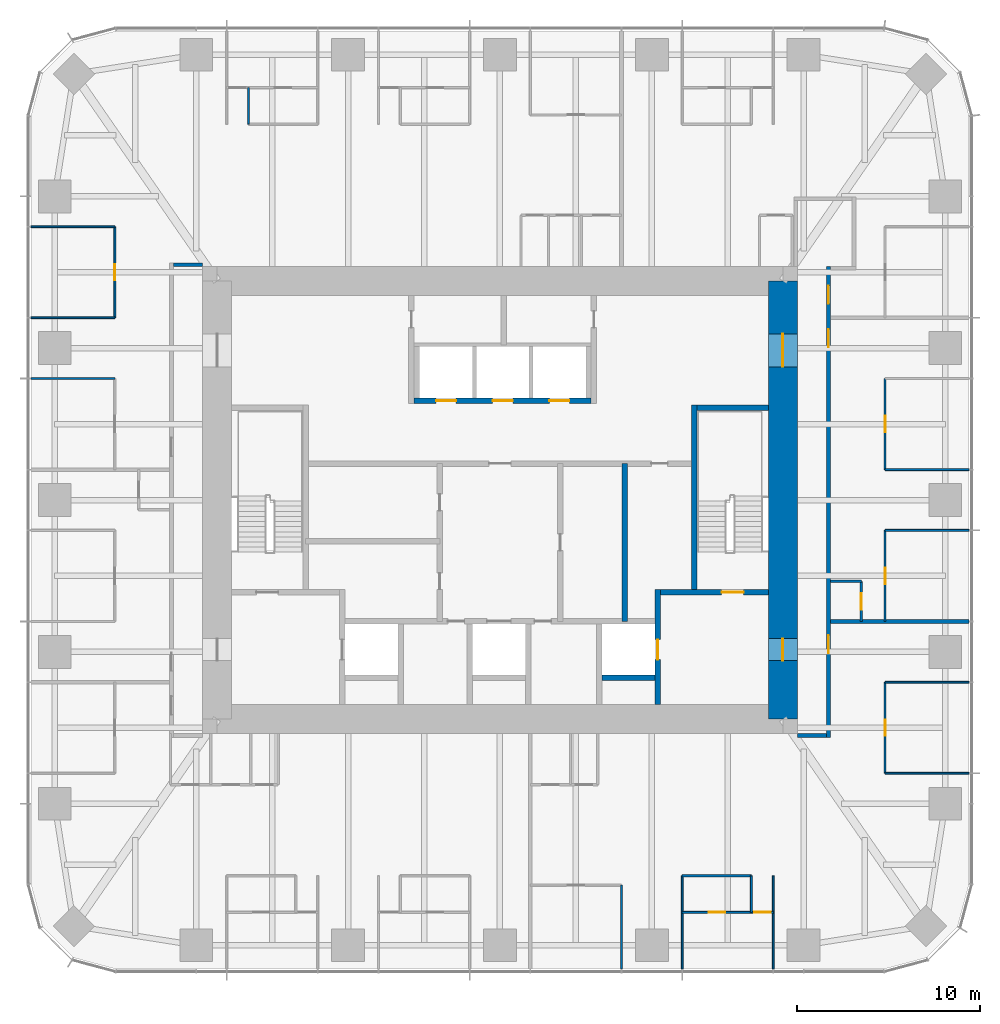
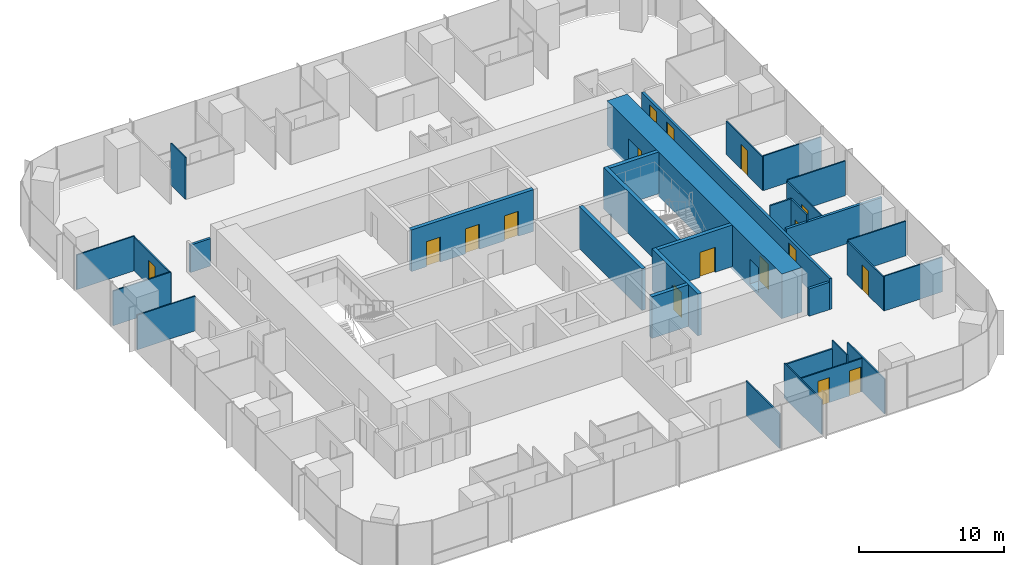
# One storey, part 10 of 13: 32 walls, 17 doors, 17 openings.
"""IFC4 building model written with IfcOpenShell, lengths in metres."""

from ifc_helpers import new_model, si_unit, direction, frame, frame_2d, origin, place, context, subcontext, project, spatial, rectangle, extrude, material, layer, layer_set, type_object, element, fill, save


model = new_model("IFC4")

# Units and contexts
model_context = context("Model", 3, precision=1e-05, world=origin(), true_north=direction((0.0, 1.0)))
body_context = subcontext(model_context, "Body", "Model", "MODEL_VIEW")
ifc_project = project(units=[si_unit("LENGTHUNIT", "METRE"), si_unit("AREAUNIT", "SQUARE_METRE"), si_unit("VOLUMEUNIT", "CUBIC_METRE"), si_unit("PLANEANGLEUNIT", "RADIAN"), si_unit("MASSUNIT", "GRAM", prefix="KILO")], contexts=[model_context])

# Site, building, storey
site_placement = place(None, origin())
site = spatial("IfcSite", under=ifc_project, at=site_placement, CompositionType="ELEMENT")
building_placement = place(site_placement, origin())
building = spatial("IfcBuilding", under=site, at=building_placement, Name="Khuree Lantern Residences", CompositionType="ELEMENT")
storey_placement = place(building_placement, frame((0.0, 0.0, 255.75)))
storey = spatial("IfcBuildingStorey", under=building, at=storey_placement, Name="L64", CompositionType="ELEMENT", Elevation=255.75)

# Wall, opening, door
ifc_material_1 = material(Name="Moisture-resistant gypsum board on steel studs", Category="steel")
ifc_layer_1 = layer(ifc_material_1, 0.125)
ifc_layer_set_1 = layer_set([ifc_layer_1], Name="BATHROOM WALL BTW125")
wall_type_1 = type_object("IfcWallType", Name="BATHROOM WALL BTW125", PredefinedType="PARTITIONING", material=ifc_layer_set_1)
wall_1_placement = place(storey_placement, frame((19.800048828125, -6.656005859375, 0.0), z_axis=(0.0, 0.0, 1.0), x_axis=(0.0, 1.0, 0.0)))
wall_1 = element("IfcWall", 1, at=wall_1_placement, inside=storey, type_object=wall_type_1, Name="L64 BATHROOM WALL 01", PredefinedType="PARTITIONING", context=body_context, shape_type="SweptSolid", body=[
    extrude(rectangle(XDim=2.199951171875, YDim=0.125, at=frame_2d((1.10009765625, 0.0))), origin(), (0.0, 0.0, 1.0), 3.5),
])
opening_1_placement = place(wall_1_placement, frame((0.64990234375, 0.0, 0.0)))
opening_1 = element("IfcOpeningElement", 2, at=opening_1_placement, cuts=wall_1, Name="Opening 64-024", PredefinedType="OPENING", context=body_context, shape_type="SweptSolid", body=[
    extrude(rectangle(XDim=0.89990234375, YDim=2.10009765625, at=frame_2d((0.449951171875, 1.050048828125))), frame((0.0, 0.072509765625, 0.0), z_axis=(0.0, -1.0, 0.0), x_axis=(1.0, 0.0, 0.0)), (0.0, 0.0, 1.0), 0.14501953125),
])
ifc_material_2 = material(Name="Timber door leaf in hardwood frame", Category="wood")
door_type_1 = type_object("IfcDoorType", Name="BATHROOM DOOR 900X2100", OperationType="SINGLE_SWING_LEFT", PredefinedType="DOOR", material=ifc_material_2)
door_1_placement = place(opening_1_placement, origin())
door_1 = element("IfcDoor", 3, at=door_1_placement, inside=storey, type_object=door_type_1, Name="Bathroom door 64-024", OperationType="SINGLE_SWING_LEFT", OverallHeight=2.10009765625, OverallWidth=0.89990234375, PredefinedType="DOOR", context=body_context, shape_type="SweptSolid", body=[
    extrude(rectangle(XDim=0.89990234375, YDim=2.10009765625, at=frame_2d((0.449951171875, 1.050048828125))), frame((0.0, 0.02490234375, 0.0), z_axis=(0.0, -1.0, 0.0), x_axis=(1.0, 0.0, 0.0)), (0.0, 0.0, 1.0), 0.050048828125),
])
fill(opening_1, door_1)

# Walls
wall_2_placement = place(storey_placement, frame((18.10009765625, -4.4560546875, 0.0), z_axis=(0.0, 0.0, 1.0), x_axis=(1.0, 0.0, 0.0)))
element("IfcWall", 4, at=wall_2_placement, inside=storey, type_object=wall_type_1, Name="L64 BATHROOM WALL 01", PredefinedType="PARTITIONING", context=body_context, shape_type="SweptSolid", body=[
    extrude(rectangle(XDim=1.699951171875, YDim=0.125, at=frame_2d((0.85009765625, 0.0))), origin(), (0.0, 0.0, 1.0), 3.5),
])
wall_3_placement = place(storey_placement, frame((9.98388671875, -20.594970703125, 0.0), z_axis=(0.0, 0.0, 1.0), x_axis=(1.0, 0.0, 0.0)))
element("IfcWall", 5, at=wall_3_placement, inside=storey, type_object=wall_type_1, Name="L64 BATHROOM WALL 06", PredefinedType="PARTITIONING", context=body_context, shape_type="SweptSolid", body=[
    extrude(rectangle(XDim=3.7919921875, YDim=0.125, at=frame_2d((1.89599609375, 0.0))), origin(), (0.0, 0.0, 1.0), 2.81005859375),
])

# Wall, opening, door
ifc_material_3 = material(Name="Dense concrete blockwork", Category="masonry")
ifc_layer_2 = layer(ifc_material_3, 0.300048828125)
ifc_layer_set_2 = layer_set([ifc_layer_2], Name="CORE PARTITION WALL CPW300 EI 120")
wall_type_2 = type_object("IfcWallType", Name="CORE PARTITION WALL CPW300 EI 120", PredefinedType="PARTITIONING", material=ifc_layer_set_2)
wall_4_placement = place(storey_placement, frame((8.64990234375, -11.199951171875, 0.0), z_axis=(0.0, 0.0, 1.0), x_axis=(0.0, 1.0, 0.0)))
wall_4 = element("IfcWall", 6, at=wall_4_placement, inside=storey, type_object=wall_type_2, Name="L64 CORE WALL FL2E", PredefinedType="PARTITIONING", context=body_context, shape_type="SweptSolid", body=[
    extrude(rectangle(XDim=6.300048828125, YDim=0.300048828125, at=frame_2d((3.14990234375, 0.0))), origin(), (0.0, 0.0, 1.0), 3.5),
])
opening_2_placement = place(wall_4_placement, frame((2.449951171875, 0.0, 0.0)))
opening_2 = element("IfcOpeningElement", 7, at=opening_2_placement, cuts=wall_4, Name="Opening 64-008", PredefinedType="OPENING", context=body_context, shape_type="SweptSolid", body=[
    extrude(rectangle(XDim=1.10009765625, YDim=2.10009765625, at=frame_2d((0.550048828125, 1.050048828125))), frame((0.0, 0.16015625, 0.0), z_axis=(0.0, -1.0, 0.0), x_axis=(1.0, 0.0, 0.0)), (0.0, 0.0, 1.0), 0.320068359375),
])
ifc_material_4 = material(Name="Stainless steel lift landing door", Category="steel")
door_type_2 = type_object("IfcDoorType", Name="LIFT LANDING DOOR 1100X2100 E 120", OperationType="DOUBLE_DOOR_SLIDING", PredefinedType="DOOR", material=ifc_material_4)
door_2_placement = place(opening_2_placement, origin())
door_2 = element("IfcDoor", 8, at=door_2_placement, inside=storey, type_object=door_type_2, Name="Landing door FL2 64-008", OperationType="DOUBLE_DOOR_SLIDING", OverallHeight=2.10009765625, OverallWidth=1.10009765625, PredefinedType="DOOR", context=body_context, shape_type="SweptSolid", body=[
    extrude(rectangle(XDim=1.10009765625, YDim=2.10009765625, at=frame_2d((0.550048828125, 1.050048828125))), frame((0.0, 0.02490234375, 0.0), z_axis=(0.0, -1.0, 0.0), x_axis=(1.0, 0.0, 0.0)), (0.0, 0.0, 1.0), 0.050048828125),
])
fill(opening_2, door_2)

# Wall
wall_5_placement = place(storey_placement, frame((5.60009765625, -9.75, 0.0), z_axis=(0.0, 0.0, 1.0), x_axis=(1.0, 0.0, 0.0)))
element("IfcWall", 9, at=wall_5_placement, inside=storey, type_object=wall_type_2, Name="L64 CORE WALL FL2S", PredefinedType="PARTITIONING", context=body_context, shape_type="SweptSolid", body=[
    extrude(rectangle(XDim=2.89990234375, YDim=0.300048828125, at=frame_2d((1.449951171875, 0.0))), origin(), (0.0, 0.0, 1.0), 3.5),
])

# Wall, openings, doors
wall_6_placement = place(storey_placement, frame((-4.699951171875, 5.449951171875, 0.0), z_axis=(0.0, 0.0, 1.0), x_axis=(1.0, 0.0, 0.0)))
wall_6 = element("IfcWall", 10, at=wall_6_placement, inside=storey, type_object=wall_type_2, Name="L64 CORE WALL PHS", PredefinedType="PARTITIONING", context=body_context, shape_type="SweptSolid", body=[
    extrude(rectangle(XDim=9.699951171875, YDim=0.300048828125, at=frame_2d((4.85009765625, 0.0))), origin(), (0.0, 0.0, 1.0), 3.5),
])
opening_3_placement = place(wall_6_placement, frame((1.199951171875, 0.0, 0.0)))
opening_3 = element("IfcOpeningElement", 11, at=opening_3_placement, cuts=wall_6, Name="Opening 64-009", PredefinedType="OPENING", context=body_context, shape_type="SweptSolid", body=[
    extrude(rectangle(XDim=1.10009765625, YDim=2.10009765625, at=frame_2d((0.550048828125, 1.050048828125))), frame((0.0, 0.16015625, 0.0), z_axis=(0.0, -1.0, 0.0), x_axis=(1.0, 0.0, 0.0)), (0.0, 0.0, 1.0), 0.320068359375),
])
opening_4_placement = place(wall_6_placement, frame((4.300048828125, 0.0, 0.0)))
opening_4 = element("IfcOpeningElement", 12, at=opening_4_placement, cuts=wall_6, Name="Opening 64-010", PredefinedType="OPENING", context=body_context, shape_type="SweptSolid", body=[
    extrude(rectangle(XDim=1.10009765625, YDim=2.10009765625, at=frame_2d((0.550048828125, 1.050048828125))), frame((0.0, 0.16015625, 0.0), z_axis=(0.0, -1.0, 0.0), x_axis=(1.0, 0.0, 0.0)), (0.0, 0.0, 1.0), 0.320068359375),
])
opening_5_placement = place(wall_6_placement, frame((7.39990234375, 0.0, 0.0)))
opening_5 = element("IfcOpeningElement", 13, at=opening_5_placement, cuts=wall_6, Name="Opening 64-011", PredefinedType="OPENING", context=body_context, shape_type="SweptSolid", body=[
    extrude(rectangle(XDim=1.10009765625, YDim=2.10009765625, at=frame_2d((0.550048828125, 1.050048828125))), frame((0.0, 0.16015625, 0.0), z_axis=(0.0, -1.0, 0.0), x_axis=(1.0, 0.0, 0.0)), (0.0, 0.0, 1.0), 0.320068359375),
])
door_type_3 = type_object("IfcDoorType", Name="LIFT LANDING DOOR 1100X2100 E 60", OperationType="DOUBLE_DOOR_SLIDING", PredefinedType="DOOR", material=ifc_material_4)
door_3_placement = place(opening_3_placement, origin())
door_3 = element("IfcDoor", 14, at=door_3_placement, inside=storey, type_object=door_type_3, Name="Landing door PH1 64-009", OperationType="DOUBLE_DOOR_SLIDING", OverallHeight=2.10009765625, OverallWidth=1.10009765625, PredefinedType="DOOR", context=body_context, shape_type="SweptSolid", body=[
    extrude(rectangle(XDim=1.10009765625, YDim=2.10009765625, at=frame_2d((0.550048828125, 1.050048828125))), frame((0.0, 0.02490234375, 0.0), z_axis=(0.0, -1.0, 0.0), x_axis=(1.0, 0.0, 0.0)), (0.0, 0.0, 1.0), 0.050048828125),
])
fill(opening_3, door_3)
door_4_placement = place(opening_4_placement, origin())
door_4 = element("IfcDoor", 15, at=door_4_placement, inside=storey, type_object=door_type_3, Name="Landing door PH2 64-010", OperationType="DOUBLE_DOOR_SLIDING", OverallHeight=2.10009765625, OverallWidth=1.10009765625, PredefinedType="DOOR", context=body_context, shape_type="SweptSolid", body=[
    extrude(rectangle(XDim=1.10009765625, YDim=2.10009765625, at=frame_2d((0.550048828125, 1.050048828125))), frame((0.0, 0.02490234375, 0.0), z_axis=(0.0, -1.0, 0.0), x_axis=(1.0, 0.0, 0.0)), (0.0, 0.0, 1.0), 0.050048828125),
])
fill(opening_4, door_4)
door_5_placement = place(opening_5_placement, origin())
door_5 = element("IfcDoor", 16, at=door_5_placement, inside=storey, type_object=door_type_3, Name="Landing door PH3 64-011", OperationType="DOUBLE_DOOR_SLIDING", OverallHeight=2.10009765625, OverallWidth=1.10009765625, PredefinedType="DOOR", context=body_context, shape_type="SweptSolid", body=[
    extrude(rectangle(XDim=1.10009765625, YDim=2.10009765625, at=frame_2d((0.550048828125, 1.050048828125))), frame((0.0, 0.02490234375, 0.0), z_axis=(0.0, -1.0, 0.0), x_axis=(1.0, 0.0, 0.0)), (0.0, 0.0, 1.0), 0.050048828125),
])
fill(opening_5, door_5)

# Walls
wall_7_placement = place(storey_placement, frame((6.833984375, -6.64990234375, 0.0), z_axis=(0.0, 0.0, 1.0), x_axis=(0.0, 1.0, 0.0)))
element("IfcWall", 17, at=wall_7_placement, inside=storey, type_object=wall_type_2, Name="L64 CORE WALL EV", PredefinedType="PARTITIONING", context=body_context, shape_type="SweptSolid", body=[
    extrude(rectangle(XDim=8.64990234375, YDim=0.300048828125, at=frame_2d((4.324951171875, 0.0))), origin(), (0.0, 0.0, 1.0), 3.5),
])
ifc_material_5 = material(Name="Gypsum board on steel studs", Category="steel")
ifc_layer_3 = layer(ifc_material_5, 0.199951171875)
ifc_layer_set_3 = layer_set([ifc_layer_3], Name="CORRIDOR WALL CRW200 EI 60")
wall_type_3 = type_object("IfcWallType", Name="CORRIDOR WALL CRW200 EI 60", PredefinedType="PARTITIONING", material=ifc_layer_set_3)
for number, where, z_axis, x_axis, name in (
    (18, (16.300048828125, -12.89990234375, 0.0), (0.0, 0.0, 1.0), (1.0, 0.0, 0.0), "L64 EAST CORRIDOR SOUTH END WALL"),
    (19, (-16.300048828125, 12.89990234375, 0.0), (0.0, 0.0, 1.0), (-1.0, 0.0, 0.0), "L64 WEST CORRIDOR NORTH END WALL"),
):
    element("IfcWall", number, at=place(storey_placement, frame(where, z_axis=z_axis, x_axis=x_axis)), inside=storey, type_object=wall_type_3, Name=name, PredefinedType="PARTITIONING", context=body_context, shape_type="SweptSolid", body=[
        extrude(rectangle(XDim=1.599853515625, YDim=0.199951171875, at=frame_2d((0.7998046875, 0.0))), origin(), (0.0, 0.0, 1.0), 2.300048828125),
    ])

# Wall, openings, doors
wall_8_placement = place(storey_placement, frame((18.0, -13.0, 0.0), z_axis=(0.0, 0.0, 1.0), x_axis=(0.0, 1.0, 0.0)))
wall_8 = element("IfcWall", 20, at=wall_8_placement, inside=storey, type_object=wall_type_3, Name="L64 CORRIDOR WALL EAST 1", PredefinedType="PARTITIONING", context=body_context, shape_type="SweptSolid", body=[
    extrude(rectangle(XDim=25.800048828125, YDim=0.199951171875, at=frame_2d((12.89990234375, 0.0))), origin(), (0.0, 0.0, 1.0), 2.60009765625),
])
opening_6_placement = place(wall_8_placement, frame((21.364013671875, 0.0, 0.0)))
opening_6 = element("IfcOpeningElement", 21, at=opening_6_placement, cuts=wall_8, Name="Opening 64-025", PredefinedType="OPENING", context=body_context, shape_type="SweptSolid", body=[
    extrude(rectangle(XDim=1.0, YDim=2.199951171875, at=frame_2d((0.5, 1.10009765625))), frame((0.0, 0.10986328125, 0.0), z_axis=(0.0, -1.0, 0.0), x_axis=(1.0, 0.0, 0.0)), (0.0, 0.0, 1.0), 0.219970703125),
])
opening_7_placement = place(wall_8_placement, frame((23.75390625, 0.0, 0.0)))
opening_7 = element("IfcOpeningElement", 22, at=opening_7_placement, cuts=wall_8, Name="Opening 64-030", PredefinedType="OPENING", context=body_context, shape_type="SweptSolid", body=[
    extrude(rectangle(XDim=1.0, YDim=2.199951171875, at=frame_2d((0.5, 1.10009765625))), frame((0.0, 0.10986328125, 0.0), z_axis=(0.0, -1.0, 0.0), x_axis=(1.0, 0.0, 0.0)), (0.0, 0.0, 1.0), 0.219970703125),
])
opening_8_placement = place(wall_8_placement, frame((4.60009765625, 0.0, 0.0)))
opening_8 = element("IfcOpeningElement", 23, at=opening_8_placement, cuts=wall_8, Name="Opening 64-060", PredefinedType="OPENING", context=body_context, shape_type="SweptSolid", body=[
    extrude(rectangle(XDim=1.0, YDim=2.199951171875, at=frame_2d((0.5, 1.10009765625))), frame((0.0, 0.10986328125, 0.0), z_axis=(0.0, -1.0, 0.0), x_axis=(1.0, 0.0, 0.0)), (0.0, 0.0, 1.0), 0.219970703125),
])
door_type_4 = type_object("IfcDoorType", Name="APARTMENT ENTRANCE DOOR 1000X2200 EI 30S", OperationType="SINGLE_SWING_LEFT", PredefinedType="DOOR", material=ifc_material_2)
door_6_placement = place(opening_6_placement, origin())
door_6 = element("IfcDoor", 24, at=door_6_placement, inside=storey, type_object=door_type_4, Name="Apartment 01 entrance door 64-025", OperationType="SINGLE_SWING_LEFT", OverallHeight=2.199951171875, OverallWidth=1.0, PredefinedType="DOOR", context=body_context, shape_type="SweptSolid", body=[
    extrude(rectangle(XDim=1.0, YDim=2.199951171875, at=frame_2d((0.5, 1.10009765625))), frame((0.0, 0.02490234375, 0.0), z_axis=(0.0, -1.0, 0.0), x_axis=(1.0, 0.0, 0.0)), (0.0, 0.0, 1.0), 0.050048828125),
])
fill(opening_6, door_6)
door_7_placement = place(opening_7_placement, origin())
door_7 = element("IfcDoor", 25, at=door_7_placement, inside=storey, type_object=door_type_4, Name="Apartment 02 entrance door 64-030", OperationType="SINGLE_SWING_LEFT", OverallHeight=2.199951171875, OverallWidth=1.0, PredefinedType="DOOR", context=body_context, shape_type="SweptSolid", body=[
    extrude(rectangle(XDim=1.0, YDim=2.199951171875, at=frame_2d((0.5, 1.10009765625))), frame((0.0, 0.02490234375, 0.0), z_axis=(0.0, -1.0, 0.0), x_axis=(1.0, 0.0, 0.0)), (0.0, 0.0, 1.0), 0.050048828125),
])
fill(opening_7, door_7)
door_8_placement = place(opening_8_placement, origin())
door_8 = element("IfcDoor", 26, at=door_8_placement, inside=storey, type_object=door_type_4, Name="Apartment 06 entrance door 64-060", OperationType="SINGLE_SWING_LEFT", OverallHeight=2.199951171875, OverallWidth=1.0, PredefinedType="DOOR", context=body_context, shape_type="SweptSolid", body=[
    extrude(rectangle(XDim=1.0, YDim=2.199951171875, at=frame_2d((0.5, 1.10009765625))), frame((0.0, 0.02490234375, 0.0), z_axis=(0.0, -1.0, 0.0), x_axis=(1.0, 0.0, 0.0)), (0.0, 0.0, 1.0), 0.050048828125),
])
fill(opening_8, door_8)

ifc_material_6 = material(Name="Concrete C50/60", Category="concrete")
ifc_layer_4 = layer(ifc_material_6, 1.60009765625)
ifc_layer_set_4 = layer_set([ifc_layer_4], Name="CW1600-C50 CORE WALL C50 1600")
wall_type_4 = type_object("IfcWallType", Name="CW1600-C50 CORE WALL C50 1600", PredefinedType="SHEAR", material=ifc_layer_set_4)
wall_9_placement = place(storey_placement, frame((15.5, -12.0, -0.25), z_axis=(0.0, 0.0, 1.0), x_axis=(0.0, 1.0, 0.0)))
wall_9 = element("IfcWall", 27, at=wall_9_placement, inside=storey, type_object=wall_type_4, Name="Core wall E", PredefinedType="SHEAR", context=body_context, shape_type="SweptSolid", body=[
    extrude(rectangle(XDim=24.0, YDim=1.60009765625, at=frame_2d((12.0, 0.0))), origin(), (0.0, 0.0, 1.0), 3.75),
])
opening_9_placement = place(wall_9_placement, frame((3.199951171875, 0.0, 0.25)))
opening_9 = element("IfcOpeningElement", 28, at=opening_9_placement, cuts=wall_9, Name="Opening 64-005", PredefinedType="OPENING", context=body_context, shape_type="SweptSolid", body=[
    extrude(rectangle(XDim=1.199951171875, YDim=2.10009765625, at=frame_2d((0.60009765625, 1.050048828125))), frame((0.0, 0.81005859375, 0.0), z_axis=(0.0, -1.0, 0.0), x_axis=(1.0, 0.0, 0.0)), (0.0, 0.0, 1.0), 1.6201171875),
])
opening_10_placement = place(wall_9_placement, frame((19.300048828125, 0.0, 0.25)))
opening_10 = element("IfcOpeningElement", 29, at=opening_10_placement, cuts=wall_9, Name="Opening 64-006", PredefinedType="OPENING", context=body_context, shape_type="SweptSolid", body=[
    extrude(rectangle(XDim=1.800048828125, YDim=2.10009765625, at=frame_2d((0.89990234375, 1.050048828125))), frame((0.0, 0.81005859375, 0.0), z_axis=(0.0, -1.0, 0.0), x_axis=(1.0, 0.0, 0.0)), (0.0, 0.0, 1.0), 1.6201171875),
])
ifc_material_7 = material(Name="Steel door leaf in steel frame", Category="steel")
door_type_5 = type_object("IfcDoorType", Name="LOBBY DOOR 1200X2100 EI 120", OperationType="SINGLE_SWING_LEFT", PredefinedType="DOOR", material=ifc_material_7)
door_9_placement = place(opening_9_placement, origin())
door_9 = element("IfcDoor", 30, at=door_9_placement, inside=storey, type_object=door_type_5, Name="Firefighting lobby door 64-005", OperationType="SINGLE_SWING_LEFT", OverallHeight=2.10009765625, OverallWidth=1.199951171875, PredefinedType="DOOR", context=body_context, shape_type="SweptSolid", body=[
    extrude(rectangle(XDim=1.199951171875, YDim=2.10009765625, at=frame_2d((0.60009765625, 1.050048828125))), frame((0.0, 0.02490234375, 0.0), z_axis=(0.0, -1.0, 0.0), x_axis=(1.0, 0.0, 0.0)), (0.0, 0.0, 1.0), 0.050048828125),
])
fill(opening_9, door_9)
door_type_6 = type_object("IfcDoorType", Name="LOBBY DOUBLE DOOR 1800X2100 EI 60", OperationType="DOUBLE_DOOR_SINGLE_SWING", PredefinedType="DOOR", material=ifc_material_7)
door_10_placement = place(opening_10_placement, origin())
door_10 = element("IfcDoor", 31, at=door_10_placement, inside=storey, type_object=door_type_6, Name="Lift lobby door 64-006", OperationType="DOUBLE_DOOR_SINGLE_SWING", OverallHeight=2.10009765625, OverallWidth=1.800048828125, PredefinedType="DOOR", context=body_context, shape_type="SweptSolid", body=[
    extrude(rectangle(XDim=1.800048828125, YDim=2.10009765625, at=frame_2d((0.89990234375, 1.050048828125))), frame((0.0, 0.02490234375, 0.0), z_axis=(0.0, -1.0, 0.0), x_axis=(1.0, 0.0, 0.0)), (0.0, 0.0, 1.0), 0.050048828125),
])
fill(opening_10, door_10)

# Walls
ifc_layer_5 = layer(ifc_material_5, 0.199951171875)
ifc_layer_set_5 = layer_set([ifc_layer_5], Name="DEMISING WALL DMW200 EI 90")
wall_type_5 = type_object("IfcWallType", Name="DEMISING WALL DMW200 EI 90", PredefinedType="PARTITIONING", material=ifc_layer_set_5)
wall_10_placement = place(storey_placement, frame((18.10009765625, -6.656005859375, 0.0), z_axis=(0.0, 0.0, 1.0), x_axis=(1.0, 0.0, 0.0)))
element("IfcWall", 32, at=wall_10_placement, inside=storey, type_object=wall_type_5, Name="L64 DEMISING WALL 01", PredefinedType="PARTITIONING", context=body_context, shape_type="SweptSolid", body=[
    extrude(rectangle(XDim=7.599853515625, YDim=0.199951171875, at=frame_2d((3.7998046875, 0.0))), origin(), (0.0, 0.0, 1.0), 2.909912109375),
])
ifc_layer_6 = layer(ifc_material_5, 0.10009765625)
ifc_layer_set_6 = layer_set([ifc_layer_6], Name="PARTITION PT100")
wall_type_6 = type_object("IfcWallType", Name="PARTITION PT100", PredefinedType="PARTITIONING", material=ifc_layer_set_6)
for number, where, z_axis, x_axis, name in (
    (33, (21.10009765625, -1.6640625, 0.0), (0.0, 0.0, 1.0), (1.0, 0.0, 0.0), "L64 PARTITION 01"),
    (34, (21.10009765625, 1.6640625, 0.0), (0.0, 0.0, 1.0), (1.0, 0.0, 0.0), "L64 PARTITION 01"),
    (35, (-21.10009765625, 14.97607421875, 0.0), (0.0, 0.0, 1.0), (-1.0, 0.0, 0.0), "L64 PARTITION 03"),
    (36, (-21.10009765625, 9.98388671875, 0.0), (0.0, 0.0, 1.0), (-1.0, 0.0, 0.0), "L64 PARTITION 03"),
    (37, (-21.10009765625, 6.656005859375, 0.0), (0.0, 0.0, 1.0), (-1.0, 0.0, 0.0), "L64 PARTITION 03"),
    (38, (6.656005859375, -21.10009765625, 0.0), (0.0, 0.0, 1.0), (0.0, -1.0, 0.0), "L64 PARTITION 06"),
):
    element("IfcWall", number, at=place(storey_placement, frame(where, z_axis=z_axis, x_axis=x_axis)), inside=storey, type_object=wall_type_6, Name=name, PredefinedType="PARTITIONING", context=body_context, shape_type="SweptSolid", body=[
        extrude(rectangle(XDim=4.599853515625, YDim=0.10009765625, at=frame_2d((2.2998046875, 0.0))), origin(), (0.0, 0.0, 1.0), 2.909912109375),
    ])
for number, where, z_axis, x_axis, name in (
    (39, (9.98388671875, -20.594970703125, 0.0), (0.0, 0.0, 1.0), (0.0, -1.0, 0.0), "L64 PARTITION 06"),
    (40, (14.97607421875, -20.594970703125, 0.0), (0.0, 0.0, 1.0), (0.0, -1.0, 0.0), "L64 PARTITION 06"),
):
    element("IfcWall", number, at=place(storey_placement, frame(where, z_axis=z_axis, x_axis=x_axis)), inside=storey, type_object=wall_type_6, Name=name, PredefinedType="PARTITIONING", context=body_context, shape_type="SweptSolid", body=[
        extrude(rectangle(XDim=5.10498046875, YDim=0.10009765625, at=frame_2d((2.552490234375, 0.0))), origin(), (0.0, 0.0, 1.0), 2.909912109375),
    ])
for number, where, z_axis, x_axis, name in (
    (41, (21.10009765625, -14.97607421875, 0.0), (0.0, 0.0, 1.0), (1.0, 0.0, 0.0), "L64 PARTITION 06"),
    (42, (21.10009765625, -9.98388671875, 0.0), (0.0, 0.0, 1.0), (1.0, 0.0, 0.0), "L64 PARTITION 06"),
):
    element("IfcWall", number, at=place(storey_placement, frame(where, z_axis=z_axis, x_axis=x_axis)), inside=storey, type_object=wall_type_6, Name=name, PredefinedType="PARTITIONING", context=body_context, shape_type="SweptSolid", body=[
        extrude(rectangle(XDim=4.599853515625, YDim=0.10009765625, at=frame_2d((2.2998046875, 0.0))), origin(), (0.0, 0.0, 1.0), 2.909912109375),
    ])

# Wall, opening, door
wall_11_placement = place(storey_placement, frame((21.10009765625, -6.656005859375, 0.0), z_axis=(0.0, 0.0, 1.0), x_axis=(0.0, 1.0, 0.0)))
wall_11 = element("IfcWall", 43, at=wall_11_placement, inside=storey, type_object=wall_type_6, Name="L64 PARTITION 01", PredefinedType="PARTITIONING", context=body_context, shape_type="SweptSolid", body=[
    extrude(rectangle(XDim=4.991943359375, YDim=0.10009765625, at=frame_2d((2.49609375, 0.0))), origin(), (0.0, 0.0, 1.0), 2.81005859375),
])
opening_11_placement = place(wall_11_placement, frame((2.0458984375, 0.0, 0.0)))
opening_11 = element("IfcOpeningElement", 44, at=opening_11_placement, cuts=wall_11, Name="Opening 64-022", PredefinedType="OPENING", context=body_context, shape_type="SweptSolid", body=[
    extrude(rectangle(XDim=0.89990234375, YDim=2.10009765625, at=frame_2d((0.449951171875, 1.050048828125))), frame((0.0, 0.06005859375, 0.0), z_axis=(0.0, -1.0, 0.0), x_axis=(1.0, 0.0, 0.0)), (0.0, 0.0, 1.0), 0.1201171875),
])
door_type_7 = type_object("IfcDoorType", Name="BEDROOM DOOR 900X2100", OperationType="SINGLE_SWING_LEFT", PredefinedType="DOOR", material=ifc_material_2)
door_11_placement = place(opening_11_placement, origin())
door_11 = element("IfcDoor", 45, at=door_11_placement, inside=storey, type_object=door_type_7, Name="Bedroom door 64-022", OperationType="SINGLE_SWING_LEFT", OverallHeight=2.10009765625, OverallWidth=0.89990234375, PredefinedType="DOOR", context=body_context, shape_type="SweptSolid", body=[
    extrude(rectangle(XDim=0.89990234375, YDim=2.10009765625, at=frame_2d((0.449951171875, 1.050048828125))), frame((0.0, 0.02490234375, 0.0), z_axis=(0.0, -1.0, 0.0), x_axis=(1.0, 0.0, 0.0)), (0.0, 0.0, 1.0), 0.050048828125),
])
fill(opening_11, door_11)

wall_12_placement = place(storey_placement, frame((21.10009765625, 1.6640625, 0.0), z_axis=(0.0, 0.0, 1.0), x_axis=(0.0, 1.0, 0.0)))
wall_12 = element("IfcWall", 46, at=wall_12_placement, inside=storey, type_object=wall_type_6, Name="L64 PARTITION 01", PredefinedType="PARTITIONING", context=body_context, shape_type="SweptSolid", body=[
    extrude(rectangle(XDim=4.991943359375, YDim=0.10009765625, at=frame_2d((2.49609375, 0.0))), origin(), (0.0, 0.0, 1.0), 2.81005859375),
])
opening_12_placement = place(wall_12_placement, frame((2.0458984375, 0.0, 0.0)))
opening_12 = element("IfcOpeningElement", 47, at=opening_12_placement, cuts=wall_12, Name="Opening 64-023", PredefinedType="OPENING", context=body_context, shape_type="SweptSolid", body=[
    extrude(rectangle(XDim=0.89990234375, YDim=2.10009765625, at=frame_2d((0.449951171875, 1.050048828125))), frame((0.0, 0.06005859375, 0.0), z_axis=(0.0, -1.0, 0.0), x_axis=(1.0, 0.0, 0.0)), (0.0, 0.0, 1.0), 0.1201171875),
])
door_12_placement = place(opening_12_placement, origin())
door_12 = element("IfcDoor", 48, at=door_12_placement, inside=storey, type_object=door_type_7, Name="Bedroom door 64-023", OperationType="SINGLE_SWING_LEFT", OverallHeight=2.10009765625, OverallWidth=0.89990234375, PredefinedType="DOOR", context=body_context, shape_type="SweptSolid", body=[
    extrude(rectangle(XDim=0.89990234375, YDim=2.10009765625, at=frame_2d((0.449951171875, 1.050048828125))), frame((0.0, 0.02490234375, 0.0), z_axis=(0.0, -1.0, 0.0), x_axis=(1.0, 0.0, 0.0)), (0.0, 0.0, 1.0), 0.050048828125),
])
fill(opening_12, door_12)

# Wall
wall_13_placement = place(storey_placement, frame((-13.77587890625, 20.594970703125, 0.0), z_axis=(0.0, 0.0, 1.0), x_axis=(0.0, 1.0, 0.0)))
element("IfcWall", 49, at=wall_13_placement, inside=storey, type_object=wall_type_6, Name="L64 PARTITION 03", PredefinedType="PARTITIONING", context=body_context, shape_type="SweptSolid", body=[
    extrude(rectangle(XDim=2.0, YDim=0.10009765625, at=frame_2d((1.0, 0.0))), origin(), (0.0, 0.0, 1.0), 3.5),
])

# Wall, opening, door
wall_14_placement = place(storey_placement, frame((-21.10009765625, 14.97607421875, 0.0), z_axis=(0.0, 0.0, 1.0), x_axis=(0.0, -1.0, 0.0)))
wall_14 = element("IfcWall", 50, at=wall_14_placement, inside=storey, type_object=wall_type_6, Name="L64 PARTITION 03", PredefinedType="PARTITIONING", context=body_context, shape_type="SweptSolid", body=[
    extrude(rectangle(XDim=4.9921875, YDim=0.10009765625, at=frame_2d((2.49609375, 0.0))), origin(), (0.0, 0.0, 1.0), 2.81005859375),
])
opening_13_placement = place(wall_14_placement, frame((2.0458984375, 0.0, 0.0)))
opening_13 = element("IfcOpeningElement", 51, at=opening_13_placement, cuts=wall_14, Name="Opening 64-036", PredefinedType="OPENING", context=body_context, shape_type="SweptSolid", body=[
    extrude(rectangle(XDim=0.89990234375, YDim=2.10009765625, at=frame_2d((0.449951171875, 1.050048828125))), frame((0.0, 0.06005859375, 0.0), z_axis=(0.0, -1.0, 0.0), x_axis=(1.0, 0.0, 0.0)), (0.0, 0.0, 1.0), 0.1201171875),
])
door_13_placement = place(opening_13_placement, origin())
door_13 = element("IfcDoor", 52, at=door_13_placement, inside=storey, type_object=door_type_7, Name="Bedroom door 64-036", OperationType="SINGLE_SWING_LEFT", OverallHeight=2.10009765625, OverallWidth=0.89990234375, PredefinedType="DOOR", context=body_context, shape_type="SweptSolid", body=[
    extrude(rectangle(XDim=0.89990234375, YDim=2.10009765625, at=frame_2d((0.449951171875, 1.050048828125))), frame((0.0, 0.02490234375, 0.0), z_axis=(0.0, -1.0, 0.0), x_axis=(1.0, 0.0, 0.0)), (0.0, 0.0, 1.0), 0.050048828125),
])
fill(opening_13, door_13)

# Wall, openings, doors
wall_15_placement = place(storey_placement, frame((9.98388671875, -22.594970703125, 0.0), z_axis=(0.0, 0.0, 1.0), x_axis=(1.0, 0.0, 0.0)))
wall_15 = element("IfcWall", 53, at=wall_15_placement, inside=storey, type_object=wall_type_6, Name="L64 PARTITION 06", PredefinedType="PARTITIONING", context=body_context, shape_type="SweptSolid", body=[
    extrude(rectangle(XDim=4.9921875, YDim=0.10009765625, at=frame_2d((2.49609375, 0.0))), origin(), (0.0, 0.0, 1.0), 2.81005859375),
])
opening_14_placement = place(wall_15_placement, frame((3.94189453125, 0.0, 0.0)))
opening_14 = element("IfcOpeningElement", 54, at=opening_14_placement, cuts=wall_15, Name="Opening 64-055", PredefinedType="OPENING", context=body_context, shape_type="SweptSolid", body=[
    extrude(rectangle(XDim=0.89990234375, YDim=2.10009765625, at=frame_2d((0.449951171875, 1.050048828125))), frame((0.0, 0.06005859375, 0.0), z_axis=(0.0, -1.0, 0.0), x_axis=(1.0, 0.0, 0.0)), (0.0, 0.0, 1.0), 0.1201171875),
])
opening_15_placement = place(wall_15_placement, frame((1.446044921875, 0.0, 0.0)))
opening_15 = element("IfcOpeningElement", 55, at=opening_15_placement, cuts=wall_15, Name="Opening 64-056", PredefinedType="OPENING", context=body_context, shape_type="SweptSolid", body=[
    extrude(rectangle(XDim=0.89990234375, YDim=2.10009765625, at=frame_2d((0.449951171875, 1.050048828125))), frame((0.0, 0.06005859375, 0.0), z_axis=(0.0, -1.0, 0.0), x_axis=(1.0, 0.0, 0.0)), (0.0, 0.0, 1.0), 0.1201171875),
])
door_14_placement = place(opening_15_placement, origin())
door_14 = element("IfcDoor", 56, at=door_14_placement, inside=storey, type_object=door_type_1, Name="Bathroom door 64-056", OperationType="SINGLE_SWING_LEFT", OverallHeight=2.10009765625, OverallWidth=0.89990234375, PredefinedType="DOOR", context=body_context, shape_type="SweptSolid", body=[
    extrude(rectangle(XDim=0.89990234375, YDim=2.10009765625, at=frame_2d((0.449951171875, 1.050048828125))), frame((0.0, 0.02490234375, 0.0), z_axis=(0.0, -1.0, 0.0), x_axis=(1.0, 0.0, 0.0)), (0.0, 0.0, 1.0), 0.050048828125),
])
fill(opening_15, door_14)
door_15_placement = place(opening_14_placement, origin())
door_15 = element("IfcDoor", 57, at=door_15_placement, inside=storey, type_object=door_type_7, Name="Bedroom door 64-055", OperationType="SINGLE_SWING_LEFT", OverallHeight=2.10009765625, OverallWidth=0.89990234375, PredefinedType="DOOR", context=body_context, shape_type="SweptSolid", body=[
    extrude(rectangle(XDim=0.89990234375, YDim=2.10009765625, at=frame_2d((0.449951171875, 1.050048828125))), frame((0.0, 0.02490234375, 0.0), z_axis=(0.0, -1.0, 0.0), x_axis=(1.0, 0.0, 0.0)), (0.0, 0.0, 1.0), 0.050048828125),
])
fill(opening_14, door_15)

# Wall
wall_16_placement = place(storey_placement, frame((13.77587890625, -20.594970703125, 0.0), z_axis=(0.0, 0.0, 1.0), x_axis=(0.0, -1.0, 0.0)))
element("IfcWall", 58, at=wall_16_placement, inside=storey, type_object=wall_type_6, Name="L64 PARTITION 06", PredefinedType="PARTITIONING", context=body_context, shape_type="SweptSolid", body=[
    extrude(rectangle(XDim=2.0, YDim=0.10009765625, at=frame_2d((1.0, 0.0))), origin(), (0.0, 0.0, 1.0), 3.5),
])

# Wall, opening, door
wall_17_placement = place(storey_placement, frame((21.10009765625, -14.97607421875, 0.0), z_axis=(0.0, 0.0, 1.0), x_axis=(0.0, 1.0, 0.0)))
wall_17 = element("IfcWall", 59, at=wall_17_placement, inside=storey, type_object=wall_type_6, Name="L64 PARTITION 06", PredefinedType="PARTITIONING", context=body_context, shape_type="SweptSolid", body=[
    extrude(rectangle(XDim=4.9921875, YDim=0.10009765625, at=frame_2d((2.49609375, 0.0))), origin(), (0.0, 0.0, 1.0), 2.81005859375),
])
opening_16_placement = place(wall_17_placement, frame((2.0458984375, 0.0, 0.0)))
opening_16 = element("IfcOpeningElement", 60, at=opening_16_placement, cuts=wall_17, Name="Opening 64-057", PredefinedType="OPENING", context=body_context, shape_type="SweptSolid", body=[
    extrude(rectangle(XDim=0.89990234375, YDim=2.10009765625, at=frame_2d((0.449951171875, 1.050048828125))), frame((0.0, 0.06005859375, 0.0), z_axis=(0.0, -1.0, 0.0), x_axis=(1.0, 0.0, 0.0)), (0.0, 0.0, 1.0), 0.1201171875),
])
door_16_placement = place(opening_16_placement, origin())
door_16 = element("IfcDoor", 61, at=door_16_placement, inside=storey, type_object=door_type_7, Name="Bedroom door 64-057", OperationType="SINGLE_SWING_LEFT", OverallHeight=2.10009765625, OverallWidth=0.89990234375, PredefinedType="DOOR", context=body_context, shape_type="SweptSolid", body=[
    extrude(rectangle(XDim=0.89990234375, YDim=2.10009765625, at=frame_2d((0.449951171875, 1.050048828125))), frame((0.0, 0.02490234375, 0.0), z_axis=(0.0, -1.0, 0.0), x_axis=(1.0, 0.0, 0.0)), (0.0, 0.0, 1.0), 0.050048828125),
])
fill(opening_16, door_16)

# Wall
ifc_layer_7 = layer(ifc_material_6, 0.300048828125)
ifc_layer_set_7 = layer_set([ifc_layer_7], Name="STAIR WALL SRW300 C50/60 REI 240")
wall_type_7 = type_object("IfcWallType", Name="STAIR WALL SRW300 C50/60 REI 240", PredefinedType="SOLIDWALL", material=ifc_layer_set_7)
wall_18_placement = place(storey_placement, frame((10.64990234375, -4.89990234375, 0.0), z_axis=(0.0, 0.0, 1.0), x_axis=(0.0, 1.0, 0.0)))
element("IfcWall", 62, at=wall_18_placement, inside=storey, type_object=wall_type_7, Name="L64 STAIR WALL ST2E", PredefinedType="SOLIDWALL", context=body_context, shape_type="SweptSolid", body=[
    extrude(rectangle(XDim=10.099853515625, YDim=0.300048828125, at=frame_2d((5.0498046875, 0.0))), origin(), (0.0, 0.0, 1.0), 3.5),
])

# Wall, opening, door
wall_19_placement = place(storey_placement, frame((14.699951171875, -5.050048828125, 0.0), z_axis=(0.0, 0.0, 1.0), x_axis=(-1.0, 0.0, 0.0)))
wall_19 = element("IfcWall", 63, at=wall_19_placement, inside=storey, type_object=wall_type_7, Name="L64 STAIR WALL ST2S", PredefinedType="SOLIDWALL", context=body_context, shape_type="SweptSolid", body=[
    extrude(rectangle(XDim=5.89990234375, YDim=0.300048828125, at=frame_2d((2.949951171875, 0.0))), origin(), (0.0, 0.0, 1.0), 3.5),
])
opening_17_placement = place(wall_19_placement, frame((1.35009765625, 0.0, 0.0)))
opening_17 = element("IfcOpeningElement", 64, at=opening_17_placement, cuts=wall_19, Name="Opening 64-004", PredefinedType="OPENING", context=body_context, shape_type="SweptSolid", body=[
    extrude(rectangle(XDim=1.199951171875, YDim=2.10009765625, at=frame_2d((0.60009765625, 1.050048828125))), frame((0.0, 0.16015625, 0.0), z_axis=(0.0, -1.0, 0.0), x_axis=(1.0, 0.0, 0.0)), (0.0, 0.0, 1.0), 0.320068359375),
])
door_type_8 = type_object("IfcDoorType", Name="STAIR DOOR 1200X2100 EI 120", OperationType="SINGLE_SWING_LEFT", PredefinedType="DOOR", material=ifc_material_7)
door_17_placement = place(opening_17_placement, origin())
door_17 = element("IfcDoor", 65, at=door_17_placement, inside=storey, type_object=door_type_8, Name="Stair ST2 door 64-004", OperationType="SINGLE_SWING_LEFT", OverallHeight=2.10009765625, OverallWidth=1.199951171875, PredefinedType="DOOR", context=body_context, shape_type="SweptSolid", body=[
    extrude(rectangle(XDim=1.199951171875, YDim=2.10009765625, at=frame_2d((0.60009765625, 1.050048828125))), frame((0.0, 0.02490234375, 0.0), z_axis=(0.0, -1.0, 0.0), x_axis=(1.0, 0.0, 0.0)), (0.0, 0.0, 1.0), 0.050048828125),
])
fill(opening_17, door_17)

# Wall
wall_20_placement = place(storey_placement, frame((14.699951171875, 5.050048828125, 0.0), z_axis=(0.0, 0.0, 1.0), x_axis=(-1.0, 0.0, 0.0)))
element("IfcWall", 66, at=wall_20_placement, inside=storey, type_object=wall_type_7, Name="L64 STAIR WALL ST2N", PredefinedType="SOLIDWALL", context=body_context, shape_type="SweptSolid", body=[
    extrude(rectangle(XDim=3.89990234375, YDim=0.300048828125, at=frame_2d((1.949951171875, 0.0))), origin(), (0.0, 0.0, 1.0), 3.5),
])

save(model, "model.ifc")
